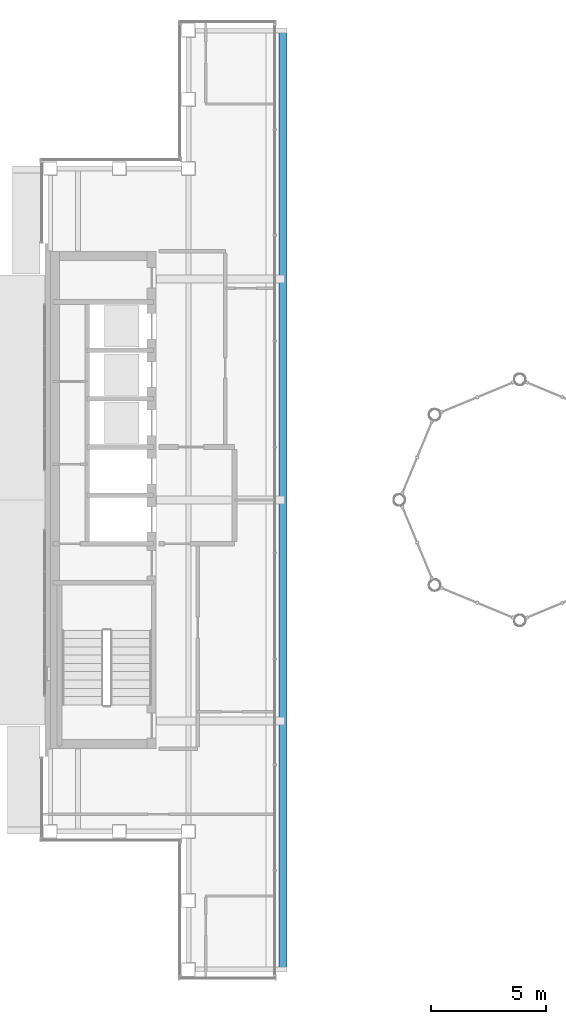
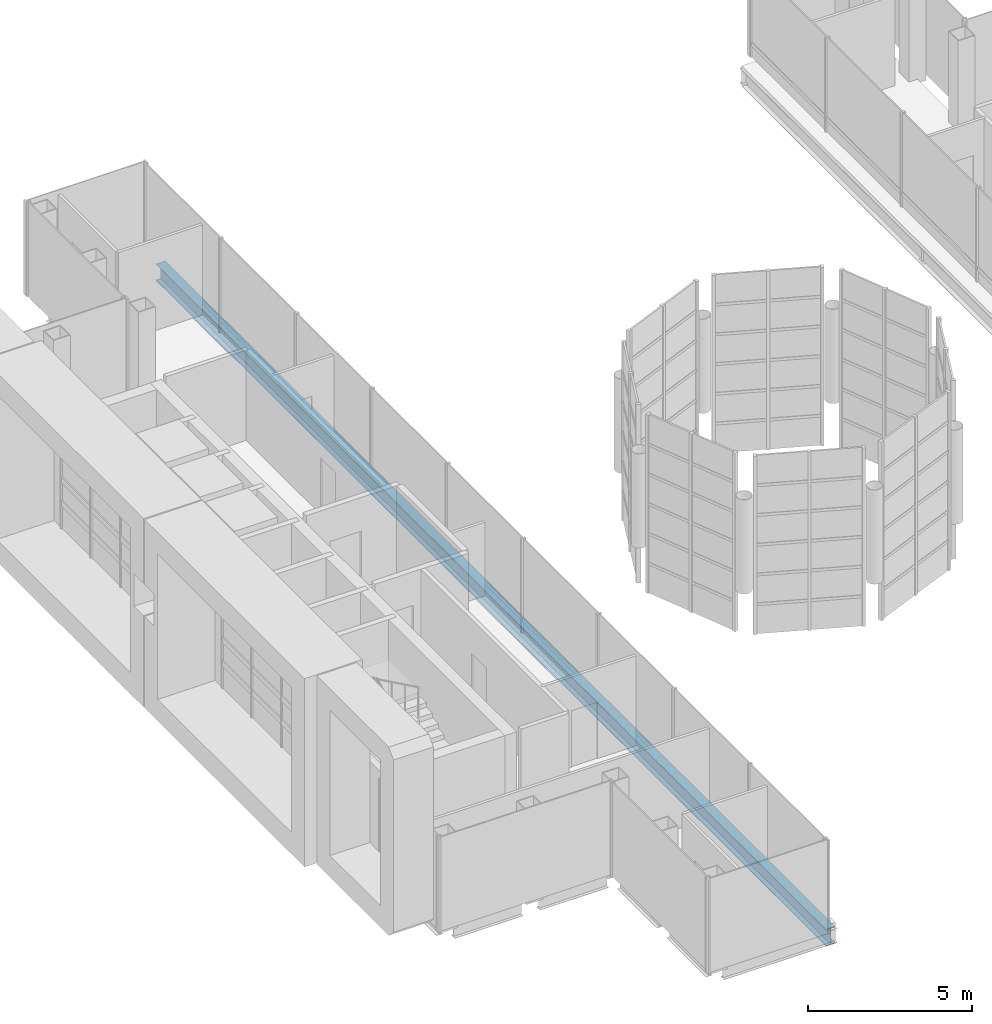
# One storey, part 4 of 21: 1 beam.
"""IFC4 building model written with IfcOpenShell, lengths in metres."""

from ifc_helpers import new_model, si_unit, direction, frame, origin, origin_2d, place, context, subcontext, project, spatial, i_section, extrude, material, material_profile, profile_set, type_object, element, save


model = new_model("IFC4")

# Units and contexts
model_context = context("Model", 3, precision=1e-05, world=origin(), true_north=direction((0.0, 1.0)))
body_context = subcontext(model_context, "Body", "Model", "MODEL_VIEW")
ifc_project = project(units=[si_unit("LENGTHUNIT", "METRE"), si_unit("AREAUNIT", "SQUARE_METRE"), si_unit("VOLUMEUNIT", "CUBIC_METRE"), si_unit("PLANEANGLEUNIT", "RADIAN"), si_unit("MASSUNIT", "GRAM", prefix="KILO")], contexts=[model_context])

# Site, building, storey
site_placement = place(None, origin())
site = spatial("IfcSite", under=ifc_project, at=site_placement, CompositionType="ELEMENT")
building_placement = place(site_placement, origin())
building = spatial("IfcBuilding", under=site, at=building_placement, Name="Cobrizo Arcos Hotel Tower", CompositionType="ELEMENT")
storey_placement = place(building_placement, frame((0.0, 0.0, 283.0)))
storey = spatial("IfcBuildingStorey", under=building, at=storey_placement, Name="L75", CompositionType="ELEMENT", Elevation=283.0)

# Beam
ifc_material = material(Name="Steel ASTM A992 Grade 50", Category="steel")
ifc_material_profile = material_profile(ifc_material, i_section(OverallWidth=0.32763671875, OverallDepth=0.622314453125, WebThickness=0.015380859375, FlangeThickness=0.0244140625, at=origin_2d()), Name="W24X131")
ifc_profile_set = profile_set([ifc_material_profile], Name="Steel ASTM A992 Grade 50")
beam_type = type_object("IfcBeamType", Name="W24X131 edge beam", PredefinedType="BEAM", material=ifc_profile_set)
beam_placement = place(storey_placement, frame((-10.291748046875, 20.39990234375, -0.461181640625), z_axis=(0.0, -1.0, 0.0), x_axis=(1.0, 0.0, 0.0)))
element("IfcBeam", 1, at=beam_placement, inside=storey, type_object=beam_type, Name="Edge beam EB1, L75, no. 001", PredefinedType="BEAM", context=body_context, shape_type="SweptSolid", body=[
    extrude(i_section(OverallWidth=0.32763671875, OverallDepth=0.622314453125, WebThickness=0.015380859375, FlangeThickness=0.0244140625, at=origin_2d()), origin(), (0.0, 0.0, 1.0), 40.7998046875),
])

save(model, "model.ifc")
